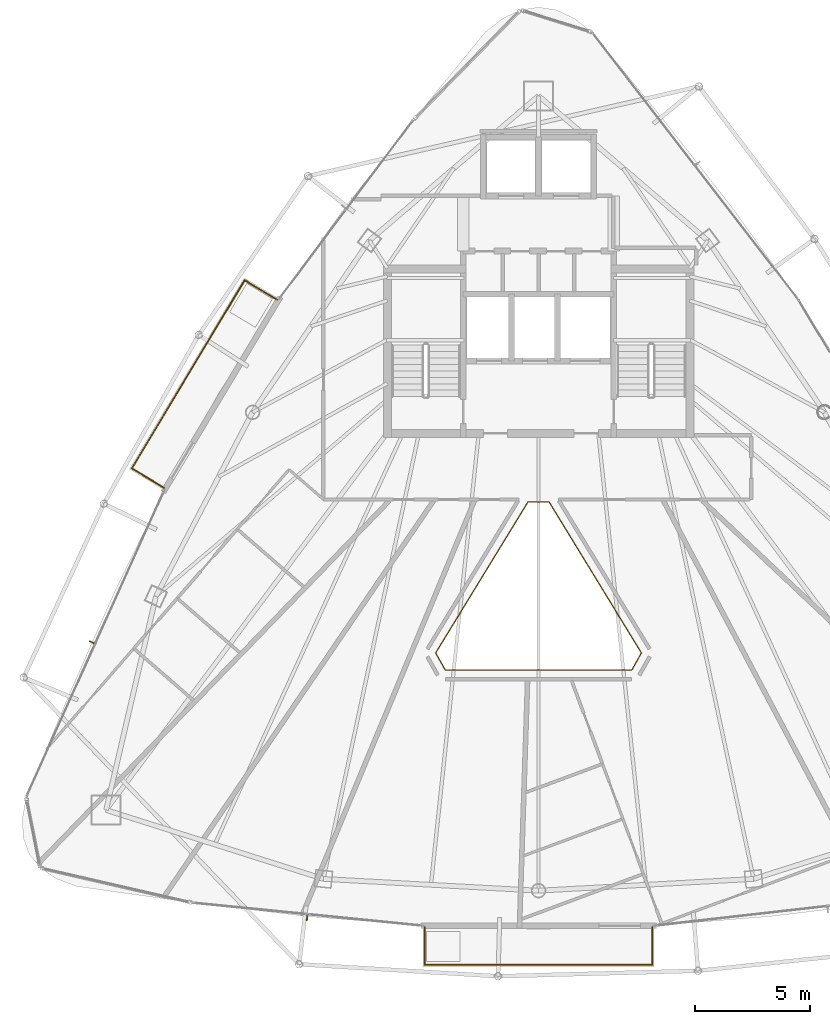
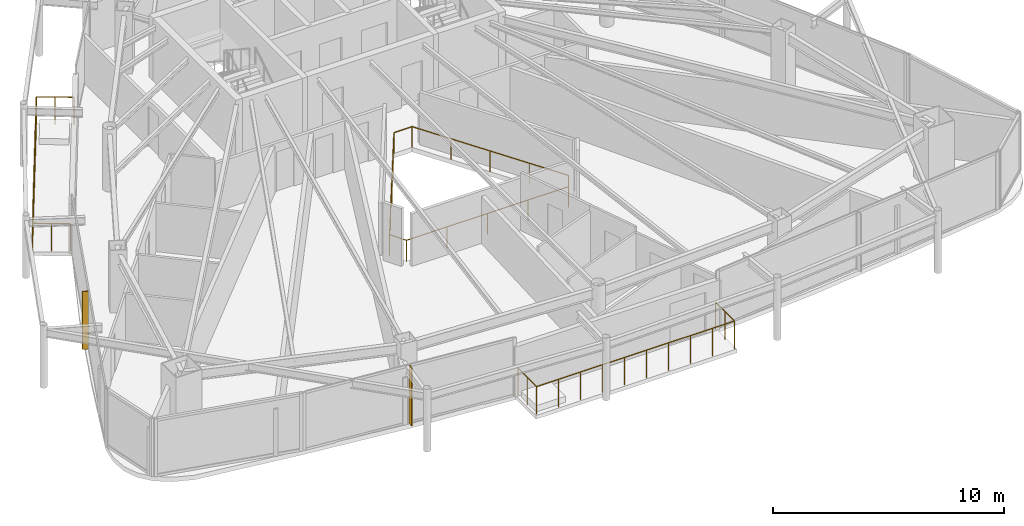
# One storey, part 28 of 29: 3 railings, 2 shading devices.
"""IFC4 building model written with IfcOpenShell, lengths in metres."""

from ifc_helpers import new_model, si_unit, direction, frame, origin, origin_2d, place, context, subcontext, project, spatial, rectangle, circle, extrude, material, layer, layer_set, type_object, element, save


model = new_model("IFC4")

# Units and contexts
model_context = context("Model", 3, precision=1e-05, world=origin(), true_north=direction((0.0, 1.0)))
body_context = subcontext(model_context, "Body", "Model", "MODEL_VIEW")
ifc_project = project(units=[si_unit("LENGTHUNIT", "METRE"), si_unit("AREAUNIT", "SQUARE_METRE"), si_unit("VOLUMEUNIT", "CUBIC_METRE"), si_unit("PLANEANGLEUNIT", "RADIAN"), si_unit("MASSUNIT", "GRAM", prefix="KILO")], contexts=[model_context])

# Site, building, storey
site_placement = place(None, origin())
site = spatial("IfcSite", under=ifc_project, at=site_placement, CompositionType="ELEMENT")
building_placement = place(site_placement, origin())
building = spatial("IfcBuilding", under=site, at=building_placement, Name="Orvanel Arch Residences", CompositionType="ELEMENT")
storey_placement = place(building_placement, frame((0.0, 0.0, 243.64990234375)))
storey = spatial("IfcBuildingStorey", under=building, at=storey_placement, Name="L69", CompositionType="ELEMENT", Elevation=243.64990234375)

# Shading devices
ifc_material = material(Name="Bronze-anodised aluminium AA6063-T6", Category="aluminium")
ifc_layer = layer(ifc_material, 0.050048828125)
ifc_layer_set = layer_set([ifc_layer], Name="Bronze-anodised aluminium AA6063-T6")
shading_device_type = type_object("IfcShadingDeviceType", Name="FIN-BRZ-260", PredefinedType="USERDEFINED", material=ifc_layer_set)
for number, where, z_axis, x_axis, name in (
    (1, (13.5869140625, 17.64208984375, 0.0), (0.0, 0.0, 1.0), (-0.912120116172, 0.409923033842, 0.0), "L69 Anodised Bronze Mullion FIN 01"),
    (2, (22.93994140625, 5.6640625, 0.0), (0.0, 0.0, 1.0), (-0.099319749744, -0.995055569961, 0.0), "L69 Anodised Bronze Mullion FIN 01"),
):
    element("IfcShadingDevice", number, at=place(storey_placement, frame(where, z_axis=z_axis, x_axis=x_axis)), inside=storey, type_object=shading_device_type, Name=name, ObjectType="FIN", PredefinedType="USERDEFINED", context=body_context, shape_type="SweptSolid", body=[
        extrude(rectangle(XDim=0.260009765625, YDim=0.050048828125, at=origin_2d()), origin(), (0.0, 0.0, 1.0), 3.06005859375),
    ])

# Railings
railing_type_1 = type_object("IfcRailingType", Name="RL-ATR-1120", PredefinedType="BALUSTRADE", material=ifc_material)
railing_1_placement = place(storey_placement, frame((33.452880859375, 23.7470703125, 0.0)))
element("IfcRailing", 3, at=railing_1_placement, inside=storey, type_object=railing_type_1, Name="L69 Atrium Void Protective Balustrade", PredefinedType="BALUSTRADE", context=body_context, shape_type="SweptSolid", body=[
    extrude(circle(Radius=0.02392578125, at=origin_2d()), frame((-0.00146484375, 0.0, 1.09619140625), z_axis=(-1.0, 0.0, 0.0), x_axis=(0.0, -1.0, 0.0)), (0.0, 0.0, 1.0), 0.90283203125),
    extrude(circle(Radius=0.02392578125, at=origin_2d()), frame((-0.906494140625, -0.001220703125, 1.09619140625), z_axis=(-0.521628329613, -0.853172834627, 0.0), x_axis=(0.853172834627, -0.521628329613, 0.0)), (0.0, 0.0, 1.0), 7.6943359375),
    extrude(circle(Radius=0.02392578125, at=origin_2d()), frame((-4.920166015625, -6.568359375, 1.09619140625), z_axis=(0.489565416471, -0.871966572178, 0.0), x_axis=(0.871966572178, 0.489565416471, 0.0)), (0.0, 0.0, 1.0), 0.8466796875),
    extrude(circle(Radius=0.02392578125, at=origin_2d()), frame((-4.50341796875, -7.30810546875, 1.09619140625), z_axis=(1.0, 0.0, 0.0), x_axis=(0.0, 1.0, 0.0)), (0.0, 0.0, 1.0), 8.10107421875),
    extrude(circle(Radius=0.02392578125, at=origin_2d()), frame((3.599853515625, -7.306884765625, 1.09619140625), z_axis=(0.489565416471, 0.871966572178, 0.0), x_axis=(-0.871966572178, 0.489565416471, 0.0)), (0.0, 0.0, 1.0), 0.8466796875),
    extrude(circle(Radius=0.02392578125, at=origin_2d()), frame((4.014404296875, -6.56591796875, 1.09619140625), z_axis=(-0.521628329613, 0.853172834627, 0.0), x_axis=(-0.853172834627, -0.521628329613, 0.0)), (0.0, 0.0, 1.0), 7.6943359375),
    extrude(circle(Radius=0.02099609375, at=origin_2d()), origin(), (0.0, 0.0, 1.0), 1.070068359375),
    extrude(circle(Radius=0.02099609375, at=origin_2d()), frame((-0.90576171875, 0.0, 0.0)), (0.0, 0.0, 1.0), 1.070068359375),
    extrude(circle(Radius=0.02099609375, at=origin_2d()), frame((-1.90966796875, -1.641845703125, 0.0)), (0.0, 0.0, 1.0), 1.070068359375),
    extrude(circle(Radius=0.02099609375, at=origin_2d()), frame((-2.913330078125, -3.28369140625, 0.0)), (0.0, 0.0, 1.0), 1.070068359375),
    extrude(circle(Radius=0.02099609375, at=origin_2d()), frame((-3.9169921875, -4.92529296875, 0.0)), (0.0, 0.0, 1.0), 1.070068359375),
    extrude(circle(Radius=0.02099609375, at=origin_2d()), frame((-4.9208984375, -6.567138671875, 0.0)), (0.0, 0.0, 1.0), 1.070068359375),
    extrude(circle(Radius=0.02099609375, at=origin_2d()), frame((-4.5048828125, -7.30810546875, 0.0)), (0.0, 0.0, 1.0), 1.070068359375),
    extrude(circle(Radius=0.02099609375, at=origin_2d()), frame((-2.47900390625, -7.30810546875, 0.0)), (0.0, 0.0, 1.0), 1.070068359375),
    extrude(circle(Radius=0.02099609375, at=origin_2d()), frame((-0.452880859375, -7.30810546875, 0.0)), (0.0, 0.0, 1.0), 1.070068359375),
    extrude(circle(Radius=0.02099609375, at=origin_2d()), frame((1.5732421875, -7.30810546875, 0.0)), (0.0, 0.0, 1.0), 1.070068359375),
    extrude(circle(Radius=0.02099609375, at=origin_2d()), frame((3.59912109375, -7.30810546875, 0.0)), (0.0, 0.0, 1.0), 1.070068359375),
    extrude(circle(Radius=0.02099609375, at=origin_2d()), frame((4.01513671875, -6.567138671875, 0.0)), (0.0, 0.0, 1.0), 1.070068359375),
    extrude(circle(Radius=0.02099609375, at=origin_2d()), frame((3.01123046875, -4.92529296875, 0.0)), (0.0, 0.0, 1.0), 1.070068359375),
    extrude(circle(Radius=0.02099609375, at=origin_2d()), frame((2.007568359375, -3.28369140625, 0.0)), (0.0, 0.0, 1.0), 1.070068359375),
    extrude(circle(Radius=0.02099609375, at=origin_2d()), frame((1.00390625, -1.641845703125, 0.0)), (0.0, 0.0, 1.0), 1.070068359375),
])
railing_type_2 = type_object("IfcRailingType", Name="RL-BAL-1480", PredefinedType="BALUSTRADE", material=ifc_material)
railing_2_placement = place(storey_placement, frame((21.632080078125, 32.5380859375, 0.0)))
element("IfcRailing", 4, at=railing_2_placement, inside=storey, type_object=railing_type_2, Name="L69 Balcony Perimeter Guardrail Face 1", PredefinedType="BALUSTRADE", context=body_context, shape_type="SweptSolid", body=[
    extrude(circle(Radius=0.02392578125, at=origin_2d()), frame((-0.001220703125, 0.000732421875, 1.4560546875), z_axis=(-0.857387817543, 0.514670895164, 0.0), x_axis=(-0.514670895164, -0.857387817543, 0.0)), (0.0, 0.0, 1.0), 1.636962890625),
    extrude(circle(Radius=0.02392578125, at=origin_2d()), frame((-1.40673828125, 0.8427734375, 1.4560546875), z_axis=(-0.514439305395, -0.857526793205, 0.0), x_axis=(0.857526793205, -0.514439305395, 0.0)), (0.0, 0.0, 1.0), 9.537353515625),
    extrude(circle(Radius=0.02392578125, at=origin_2d()), frame((-6.312744140625, -7.337890625, 1.4560546875), z_axis=(0.857545439568, -0.514408222208, 0.0), x_axis=(0.514408222208, 0.857545439568, 0.0)), (0.0, 0.0, 1.0), 1.6376953125),
    extrude(circle(Radius=0.02099609375, at=origin_2d()), origin(), (0.0, 0.0, 1.0), 1.429931640625),
    extrude(circle(Radius=0.02099609375, at=origin_2d()), frame((-0.703125, 0.421875, 0.0)), (0.0, 0.0, 1.0), 1.429931640625),
    extrude(circle(Radius=0.02099609375, at=origin_2d()), frame((-1.406005859375, 0.843994140625, 0.0)), (0.0, 0.0, 1.0), 1.429931640625),
    extrude(circle(Radius=0.02099609375, at=origin_2d()), frame((-2.01953125, -0.1787109375, 0.0)), (0.0, 0.0, 1.0), 1.429931640625),
    extrude(circle(Radius=0.02099609375, at=origin_2d()), frame((-2.633056640625, -1.201171875, 0.0)), (0.0, 0.0, 1.0), 1.429931640625),
    extrude(circle(Radius=0.02099609375, at=origin_2d()), frame((-3.24658203125, -2.223876953125, 0.0)), (0.0, 0.0, 1.0), 1.429931640625),
    extrude(circle(Radius=0.02099609375, at=origin_2d()), frame((-3.85986328125, -3.24658203125, 0.0)), (0.0, 0.0, 1.0), 1.429931640625),
    extrude(circle(Radius=0.02099609375, at=origin_2d()), frame((-4.473388671875, -4.269287109375, 0.0)), (0.0, 0.0, 1.0), 1.429931640625),
    extrude(circle(Radius=0.02099609375, at=origin_2d()), frame((-5.0869140625, -5.2919921875, 0.0)), (0.0, 0.0, 1.0), 1.429931640625),
    extrude(circle(Radius=0.02099609375, at=origin_2d()), frame((-5.700439453125, -6.314453125, 0.0)), (0.0, 0.0, 1.0), 1.429931640625),
    extrude(circle(Radius=0.02099609375, at=origin_2d()), frame((-6.31396484375, -7.337158203125, 0.0)), (0.0, 0.0, 1.0), 1.429931640625),
    extrude(circle(Radius=0.02099609375, at=origin_2d()), frame((-5.6103515625, -7.75927734375, 0.0)), (0.0, 0.0, 1.0), 1.429931640625),
    extrude(circle(Radius=0.02099609375, at=origin_2d()), frame((-4.906982421875, -8.18115234375, 0.0)), (0.0, 0.0, 1.0), 1.429931640625),
])
railing_3_placement = place(storey_placement, frame((28.05810546875, 5.256103515625, 0.0)))
element("IfcRailing", 5, at=railing_3_placement, inside=storey, type_object=railing_type_2, Name="L69 Balcony Perimeter Guardrail Face 2", PredefinedType="BALUSTRADE", context=body_context, shape_type="SweptSolid", body=[
    extrude(circle(Radius=0.02392578125, at=origin_2d()), frame((0.0, -0.00146484375, 1.4560546875), z_axis=(0.0, -1.0, 0.0), x_axis=(1.0, 0.0, 0.0)), (0.0, 0.0, 1.0), 1.63720703125),
    extrude(circle(Radius=0.02392578125, at=origin_2d()), frame((0.00146484375, -1.64013671875, 1.4560546875), z_axis=(1.0, 0.0, 0.0), x_axis=(0.0, 1.0, 0.0)), (0.0, 0.0, 1.0), 9.880859375),
    extrude(circle(Radius=0.02392578125, at=origin_2d()), frame((9.8837890625, -1.638671875, 1.4560546875), z_axis=(0.0, 1.0, 0.0), x_axis=(-1.0, 0.0, 0.0)), (0.0, 0.0, 1.0), 1.63720703125),
    extrude(circle(Radius=0.02099609375, at=origin_2d()), origin(), (0.0, 0.0, 1.0), 1.429931640625),
    extrude(circle(Radius=0.02099609375, at=origin_2d()), frame((0.0, -0.820068359375, 0.0)), (0.0, 0.0, 1.0), 1.429931640625),
    extrude(circle(Radius=0.02099609375, at=origin_2d()), frame((0.0, -1.64013671875, 0.0)), (0.0, 0.0, 1.0), 1.429931640625),
    extrude(circle(Radius=0.02099609375, at=origin_2d()), frame((1.09814453125, -1.64013671875, 0.0)), (0.0, 0.0, 1.0), 1.429931640625),
    extrude(circle(Radius=0.02099609375, at=origin_2d()), frame((2.1962890625, -1.64013671875, 0.0)), (0.0, 0.0, 1.0), 1.429931640625),
    extrude(circle(Radius=0.02099609375, at=origin_2d()), frame((3.294677734375, -1.64013671875, 0.0)), (0.0, 0.0, 1.0), 1.429931640625),
    extrude(circle(Radius=0.02099609375, at=origin_2d()), frame((4.392822265625, -1.64013671875, 0.0)), (0.0, 0.0, 1.0), 1.429931640625),
    extrude(circle(Radius=0.02099609375, at=origin_2d()), frame((5.490966796875, -1.64013671875, 0.0)), (0.0, 0.0, 1.0), 1.429931640625),
    extrude(circle(Radius=0.02099609375, at=origin_2d()), frame((6.589111328125, -1.64013671875, 0.0)), (0.0, 0.0, 1.0), 1.429931640625),
    extrude(circle(Radius=0.02099609375, at=origin_2d()), frame((7.6875, -1.64013671875, 0.0)), (0.0, 0.0, 1.0), 1.429931640625),
    extrude(circle(Radius=0.02099609375, at=origin_2d()), frame((8.78564453125, -1.64013671875, 0.0)), (0.0, 0.0, 1.0), 1.429931640625),
    extrude(circle(Radius=0.02099609375, at=origin_2d()), frame((9.8837890625, -1.64013671875, 0.0)), (0.0, 0.0, 1.0), 1.429931640625),
    extrude(circle(Radius=0.02099609375, at=origin_2d()), frame((9.8837890625, -0.820068359375, 0.0)), (0.0, 0.0, 1.0), 1.429931640625),
    extrude(circle(Radius=0.02099609375, at=origin_2d()), frame((9.8837890625, 0.0, 0.0)), (0.0, 0.0, 1.0), 1.429931640625),
])

save(model, "model.ifc")
